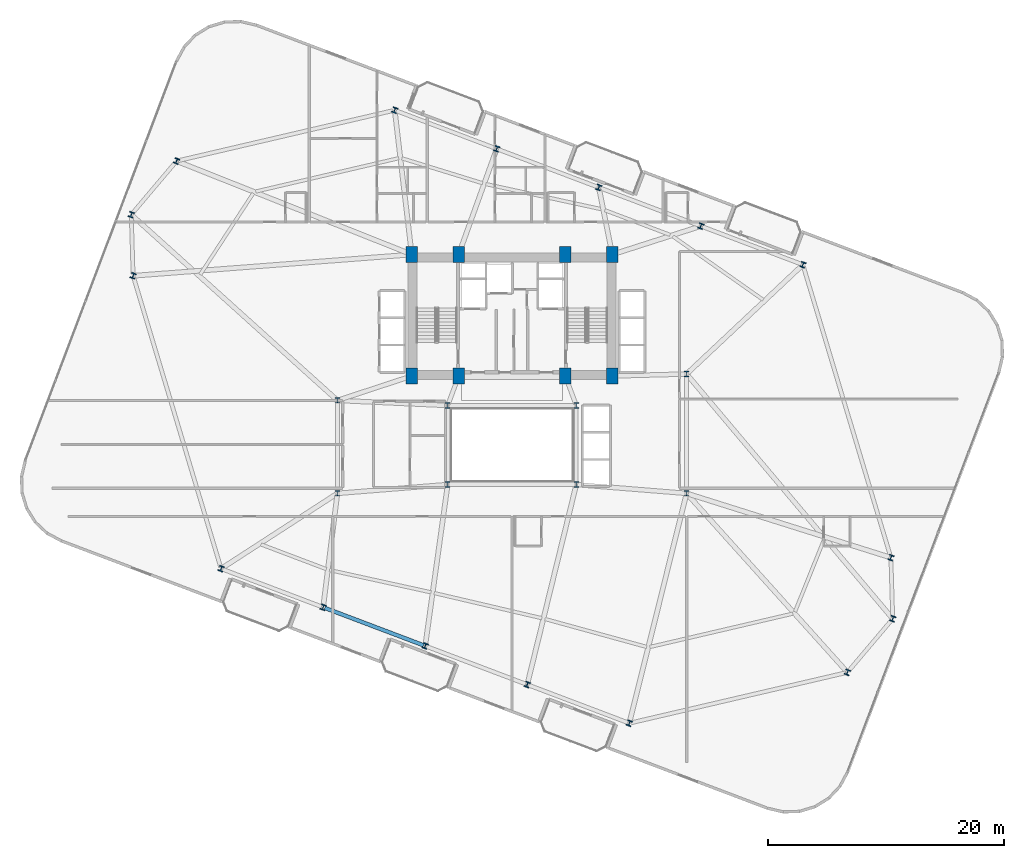
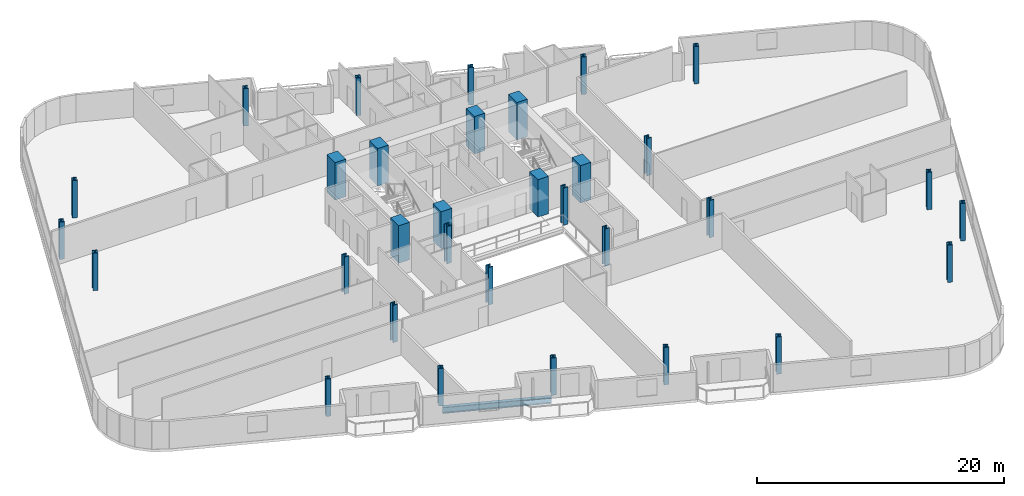
# One storey, part 1 of 24: 32 columns, 1 beam.
"""IFC4 building model written with IfcOpenShell, lengths in metres."""

from ifc_helpers import new_model, si_unit, direction, frame, origin, origin_2d, place, context, subcontext, project, spatial, rectangle, i_section, extrude, material, material_profile, profile_set, type_object, element, save


model = new_model("IFC4")

# Units and contexts
model_context = context("Model", 3, precision=1e-05, world=origin(), true_north=direction((0.0, 1.0)))
body_context = subcontext(model_context, "Body", "Model", "MODEL_VIEW")
ifc_project = project(units=[si_unit("LENGTHUNIT", "METRE"), si_unit("AREAUNIT", "SQUARE_METRE"), si_unit("VOLUMEUNIT", "CUBIC_METRE"), si_unit("PLANEANGLEUNIT", "RADIAN"), si_unit("MASSUNIT", "GRAM", prefix="KILO")], contexts=[model_context])

# Site, building, storey
site_placement = place(None, origin())
site = spatial("IfcSite", under=ifc_project, at=site_placement, CompositionType="ELEMENT")
building_placement = place(site_placement, origin())
building = spatial("IfcBuilding", under=site, at=building_placement, Name="Varnelok Gate Tower", CompositionType="ELEMENT")
storey_placement = place(building_placement, frame((0.0, 0.0, 102.10009765625)))
storey = spatial("IfcBuildingStorey", under=building, at=storey_placement, Name="L25", CompositionType="ELEMENT", Elevation=102.10009765625)

# Columns
ifc_material_1 = material(Name="Concrete C70/85", Category="concrete")
ifc_material_profile_1 = material_profile(ifc_material_1, rectangle(XDim=1.0, YDim=1.35009765625, at=origin_2d()), Name="RC1350X1000")
ifc_profile_set_1 = profile_set([ifc_material_profile_1], Name="Concrete C70/85")
column_type_1 = type_object("IfcColumnType", Name="COL-RC1350X1000", PredefinedType="COLUMN", material=ifc_profile_set_1)
for number, where, z_axis, x_axis, name in (
    (1, (30.699951171875, 28.75, 0.0), (0.0, 0.0, 1.0), (1.0, 0.0, 0.0), "L25 Core Spine Column SC1"),
    (2, (34.679931640625, 28.75, 0.0), (0.0, 0.0, 1.0), (1.0, 0.0, 0.0), "L25 Core Spine Column SC2"),
    (3, (43.719970703125, 28.75, 0.0), (0.0, 0.0, 1.0), (1.0, 0.0, 0.0), "L25 Core Spine Column SC3"),
    (4, (47.699951171875, 28.75, 0.0), (0.0, 0.0, 1.0), (1.0, 0.0, 0.0), "L25 Core Spine Column SC4"),
    (5, (30.699951171875, 39.050048828125, 0.0), (0.0, 0.0, 1.0), (1.0, 0.0, 0.0), "L25 Core Spine Column SC5"),
    (6, (34.679931640625, 39.050048828125, 0.0), (0.0, 0.0, 1.0), (1.0, 0.0, 0.0), "L25 Core Spine Column SC6"),
    (7, (43.719970703125, 39.050048828125, 0.0), (0.0, 0.0, 1.0), (1.0, 0.0, 0.0), "L25 Core Spine Column SC7"),
    (8, (47.699951171875, 39.050048828125, 0.0), (0.0, 0.0, 1.0), (1.0, 0.0, 0.0), "L25 Core Spine Column SC8"),
):
    element("IfcColumn", number, at=place(storey_placement, frame(where, z_axis=z_axis, x_axis=x_axis)), inside=storey, type_object=column_type_1, Name=name, PredefinedType="COLUMN", context=body_context, shape_type="SweptSolid", body=[
        extrude(rectangle(XDim=1.0, YDim=1.35009765625, at=origin_2d()), origin(), (0.0, 0.0, 1.0), 3.699951171875),
    ])
ifc_material_2 = material(Name="Structural Steel ASTM A992 Grade 50", Category="steel")
ifc_material_profile_2 = material_profile(ifc_material_2, i_section(OverallWidth=0.424072265625, OverallDepth=0.47412109375, WebThickness=0.047607421875, FlangeThickness=0.0771484375, FilletRadius=0.02490234375, at=origin_2d()), Name="W14X426")
ifc_profile_set_2 = profile_set([ifc_material_profile_2], Name="Structural Steel ASTM A992 Grade 50")
column_type_2 = type_object("IfcColumnType", Name="COL-W14X426", PredefinedType="COLUMN", material=ifc_profile_set_2)
for number, where, z_axis, x_axis, name in (
    (9, (33.75, 19.550048828125, 0.0), (0.0, 0.0, 1.0), (1.0, 0.0, 0.0), "L25 Atrium Spine Column AC1"),
    (10, (44.64990234375, 19.550048828125, 0.0), (0.0, 0.0, 1.0), (1.0, 0.0, 0.0), "L25 Atrium Spine Column AC2"),
    (11, (33.75, 26.25, 0.0), (0.0, 0.0, 1.0), (1.0, 0.0, 0.0), "L25 Atrium Spine Column AC3"),
    (12, (44.64990234375, 26.25, 0.0), (0.0, 0.0, 1.0), (1.0, 0.0, 0.0), "L25 Atrium Spine Column AC4"),
    (13, (24.39990234375, 18.800048828125, 0.0), (0.0, 0.0, 1.0), (1.0, 0.0, 0.0), "L25 Wing Spine Column WS1"),
    (14, (24.39990234375, 26.679931640625, 0.0), (0.0, 0.0, 1.0), (1.0, 0.0, 0.0), "L25 Wing Spine Column WS2"),
    (15, (54.0, 18.800048828125, 0.0), (0.0, 0.0, 1.0), (1.0, 0.0, 0.0), "L25 Wing Spine Column ES1"),
    (16, (54.0, 28.919921875, 0.0), (0.0, 0.0, 1.0), (1.0, 0.0, 0.0), "L25 Wing Spine Column ES2"),
    (17, (14.541015625, 12.416259765625, 0.0), (0.0, 0.0, 1.0), (0.935221751401, -0.354062530786, 0.0), "L25 B2 Perimeter Column PC01"),
    (18, (23.19189453125, 9.14111328125, 0.0), (0.0, 0.0, 1.0), (0.935221751401, -0.354062530786, 0.0), "L25 B2 Perimeter Column PC02"),
    (19, (31.842529296875, 5.8662109375, 0.0), (0.0, 0.0, 1.0), (0.935221751401, -0.354062530786, 0.0), "L25 B2 Perimeter Column PC03"),
    (20, (40.493408203125, 2.591064453125, 0.0), (0.0, 0.0, 1.0), (0.935221751401, -0.354062530786, 0.0), "L25 B2 Perimeter Column PC04"),
    (21, (49.144287109375, -0.68408203125, 0.0), (0.0, 0.0, 1.0), (0.935221751401, -0.354062530786, 0.0), "L25 B2 Perimeter Column PC05"),
    (22, (67.63671875, 3.627685546875, 0.0), (0.0, 0.0, 1.0), (0.935221751401, -0.354062530786, 0.0), "L25 B2 Perimeter Column PC06"),
    (23, (71.4765625, 8.172607421875, 0.0), (0.0, 0.0, 1.0), (0.935221751401, -0.354062530786, 0.0), "L25 B2 Perimeter Column PC07"),
    (24, (71.319091796875, 13.35400390625, 0.0), (0.0, 0.0, 1.0), (0.935221751401, -0.354062530786, 0.0), "L25 B2 Perimeter Column PC08"),
    (25, (63.85888671875, 38.183837890625, 0.0), (0.0, 0.0, 1.0), (0.935221751401, -0.354062530786, 0.0), "L25 B2 Perimeter Column PC09"),
    (26, (55.208251953125, 41.458740234375, 0.0), (0.0, 0.0, 1.0), (0.935221751401, -0.354062530786, 0.0), "L25 B2 Perimeter Column PC10"),
    (27, (46.557373046875, 44.73388671875, 0.0), (0.0, 0.0, 1.0), (0.935221751401, -0.354062530786, 0.0), "L25 B2 Perimeter Column PC11"),
    (28, (37.906494140625, 48.009033203125, 0.0), (0.0, 0.0, 1.0), (0.935221751401, -0.354062530786, 0.0), "L25 B2 Perimeter Column PC12"),
    (29, (29.255859375, 51.2841796875, 0.0), (0.0, 0.0, 1.0), (0.935221751401, -0.354062530786, 0.0), "L25 B2 Perimeter Column PC13"),
    (30, (10.76318359375, 46.972412109375, 0.0), (0.0, 0.0, 1.0), (0.935221751401, -0.354062530786, 0.0), "L25 B2 Perimeter Column PC14"),
    (31, (6.92333984375, 42.427490234375, 0.0), (0.0, 0.0, 1.0), (0.935221751401, -0.354062530786, 0.0), "L25 B2 Perimeter Column PC15"),
    (32, (7.0810546875, 37.24609375, 0.0), (0.0, 0.0, 1.0), (0.935221751401, -0.354062530786, 0.0), "L25 B2 Perimeter Column PC16"),
):
    element("IfcColumn", number, at=place(storey_placement, frame(where, z_axis=z_axis, x_axis=x_axis)), inside=storey, type_object=column_type_2, Name=name, PredefinedType="COLUMN", context=body_context, shape_type="SweptSolid", body=[
        extrude(i_section(OverallWidth=0.424072265625, OverallDepth=0.47412109375, WebThickness=0.047607421875, FlangeThickness=0.0771484375, FilletRadius=0.02490234375, at=origin_2d()), origin(), (0.0, 0.0, 1.0), 3.699951171875),
    ])

# Beam
ifc_material_profile_3 = material_profile(ifc_material_2, i_section(OverallWidth=0.323974609375, OverallDepth=0.611083984375, WebThickness=0.0126953125, FlangeThickness=0.01904296875, FilletRadius=0.01806640625, at=origin_2d()), Name="W24X104")
ifc_profile_set_3 = profile_set([ifc_material_profile_3], Name="Structural Steel ASTM A992 Grade 50")
beam_type = type_object("IfcBeamType", Name="BM-SPN-W24X104", PredefinedType="SPANDREL", material=ifc_profile_set_3)
beam_placement = place(storey_placement, frame((23.33203125, 9.088134765625, -0.5556640625), z_axis=(0.935220356141, -0.354066216208, 0.0), x_axis=(0.354066216208, 0.935220356141, 0.0)))
element("IfcBeam", 33, at=beam_placement, inside=storey, type_object=beam_type, Name="L25 Perimeter Spandrel Beam 2", PredefinedType="SPANDREL", context=body_context, shape_type="SweptSolid", body=[
    extrude(i_section(OverallWidth=0.323974609375, OverallDepth=0.611083984375, WebThickness=0.0126953125, FlangeThickness=0.01904296875, FilletRadius=0.01806640625, at=origin_2d()), origin(), (0.0, 0.0, 1.0), 8.9501953125),
])

save(model, "model.ifc")
